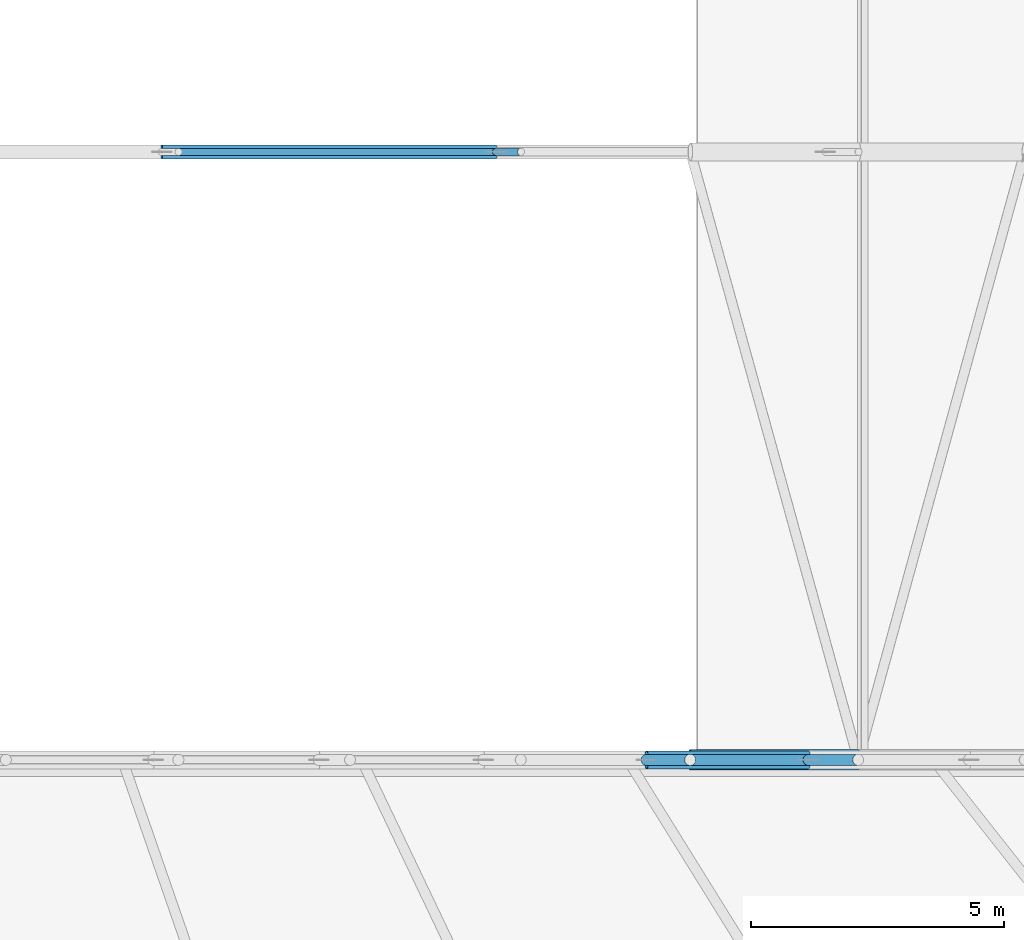
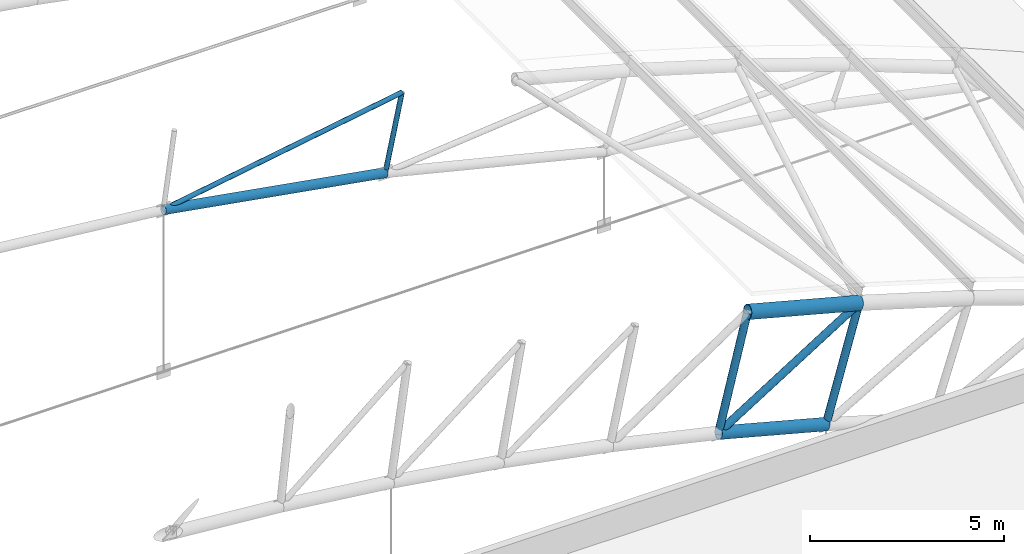
# One storey, part 42 of 321: 8 members.
"""IFC4 building model written with IfcOpenShell, lengths in metres."""

import ifcopenshell
import ifcopenshell.guid

model = None  # the IFC model being written
_history = None  # IfcOwnerHistory: only IFC2X3 demands one
_inside = {}  # id of a spatial element -> (the spatial element, [elements in it])
_under = {}  # id of a project, library or spatial element -> (it, [spatial elements below it])
_declared = {}  # id of a project -> (the project, [libraries it declares])
_typed = {}  # id of a type object -> (the type object, [elements of that type])
_made_of = {}  # id of a material, layer set ... -> (it, [elements and type objects made of it])


def new_model(schema):
    """Start an empty IFC model of exactly this schema.

    Asked for "IFC4X3", IfcOpenShell would pick the latest addendum, in which some entities
    have other attributes; the version numbers below select the first issue.
    IFC2X3 requires an IfcOwnerHistory on every rooted entity: one is made here for all.
    """
    global model, _history
    if schema == "IFC4X3":
        model = ifcopenshell.file(schema_version=(4, 3, 0, 0))
    else:
        model = ifcopenshell.file(schema=schema)
    _inside.clear()
    _under.clear()
    _declared.clear()
    _typed.clear()
    _made_of.clear()
    _history = None
    if model.schema == "IFC2X3":
        org = make("IfcOrganization", Name="unknown")
        user = make(
            "IfcPersonAndOrganization",
            ThePerson=make("IfcPerson", FamilyName="unknown"),
            TheOrganization=org,
        )
        app = make(
            "IfcApplication",
            ApplicationDeveloper=org,
            Version="unknown",
            ApplicationFullName="unknown",
            ApplicationIdentifier="unknown",
        )
        _history = make(
            "IfcOwnerHistory",
            OwningUser=user,
            OwningApplication=app,
            ChangeAction="ADDED",
            CreationDate=0,
        )
    return model


def make(cls, **values):
    """One entity of the class cls with the attributes given. An attribute that is None is left unset."""
    return model.create_entity(
        cls, **{name: value for name, value in values.items() if value is not None}
    )


def rooted(cls, **values):
    """An entity with a GlobalId (a new one), such as an element, a storey or a relation."""
    return make(cls, GlobalId=ifcopenshell.guid.new(), OwnerHistory=_history, **values)


def si_unit(unit_type, name, prefix=None):
    """IfcSIUnit, for example si_unit("LENGTHUNIT", "METRE", prefix="MILLI")."""
    return make("IfcSIUnit", UnitType=unit_type, Prefix=prefix, Name=name)


def assignment(units):
    """IfcUnitAssignment: the units of a project."""
    return None if units is None else make("IfcUnitAssignment", Units=units)


def point(xyz):
    """IfcCartesianPoint."""
    return None if xyz is None else make("IfcCartesianPoint", Coordinates=xyz)


def direction(xyz):
    """IfcDirection."""
    return None if xyz is None else make("IfcDirection", DirectionRatios=xyz)


def frame(location, z_axis=None, x_axis=None):
    """IfcAxis2Placement3D, a coordinate frame: its origin and axes. An axis left out is left unset."""
    return make(
        "IfcAxis2Placement3D",
        Location=point(location),
        Axis=direction(z_axis),
        RefDirection=direction(x_axis),
    )


def frame_2d(location, x_axis=None):
    """IfcAxis2Placement2D, a coordinate frame in the plane: its origin and x axis."""
    return make(
        "IfcAxis2Placement2D", Location=point(location), RefDirection=direction(x_axis)
    )


def origin():
    """The frame at (0, 0, 0) with its axes left unset."""
    return frame((0.0, 0.0, 0.0))


def origin_2d():
    """The frame at (0, 0) in the plane with its x axis left unset."""
    return frame_2d((0.0, 0.0))


def place(relative_to, where):
    """IfcLocalPlacement: puts the frame where relative to a parent placement (None: the world)."""
    return make(
        "IfcLocalPlacement", PlacementRelTo=relative_to, RelativePlacement=where
    )


def context(
    kind, dimensions, precision=None, world=None, true_north=None, identifier=None
):
    """IfcGeometricRepresentationContext, for example the 3D "Model" context."""
    return make(
        "IfcGeometricRepresentationContext",
        ContextIdentifier=identifier,
        ContextType=kind,
        CoordinateSpaceDimension=dimensions,
        Precision=precision,
        WorldCoordinateSystem=world,
        TrueNorth=true_north,
    )


def subcontext(parent, identifier, kind, view, scale=None):
    """IfcGeometricRepresentationSubContext, for example "Body" below "Model"."""
    return make(
        "IfcGeometricRepresentationSubContext",
        ContextIdentifier=identifier,
        ContextType=kind,
        ParentContext=parent,
        TargetScale=scale,
        TargetView=view,
    )


def project(units=None, contexts=None):
    """IfcProject with its units and contexts."""
    return rooted(
        "IfcProject",
        Name="project",
        RepresentationContexts=contexts,
        UnitsInContext=assignment(units),
    )


def spatial(cls, under=None, at=None, **own):
    """A site, building, storey or space (cls), placed at a placement, below another one or the project."""
    s = rooted(cls, ObjectPlacement=at, **own)
    if under is not None:
        _under.setdefault(under.id(), (under, []))[1].append(s)
    return s


def profile(cls, at=None, kind="AREA", **sizes):
    """A parametric profile (cls). Its sizes go by their IFC names, for example OverallWidth=200.0."""
    return make(cls, ProfileType=kind, Position=at, **sizes)


def hollow_circle(**sizes):
    """IfcCircleHollowProfileDef."""
    return profile("IfcCircleHollowProfileDef", **sizes)


def extrude(swept, where, along, depth):
    """IfcExtrudedAreaSolid: the profile swept, set in the frame where, extruded along a direction by depth."""
    return make(
        "IfcExtrudedAreaSolid",
        SweptArea=swept,
        Position=where,
        ExtrudedDirection=direction(along),
        Depth=depth,
    )


def shape(context_of_items, identifier, shape_type, items):
    """IfcShapeRepresentation: the items that make up one representation, for example the "Body"."""
    return make(
        "IfcShapeRepresentation",
        ContextOfItems=context_of_items,
        RepresentationIdentifier=identifier,
        RepresentationType=shape_type,
        Items=items,
    )


def material(Name=None, Category=None):
    """IfcMaterial."""
    return make("IfcMaterial", Name=Name, Category=Category)


def material_profile(
    of_material, cross_section, Name=None, Category=None, Priority=None
):
    """IfcMaterialProfile: a cross section and its material."""
    return make(
        "IfcMaterialProfile",
        Name=Name,
        Material=of_material,
        Profile=cross_section,
        Priority=Priority,
        Category=Category,
    )


def profile_set(profiles, Name=None, composite=None):
    """IfcMaterialProfileSet."""
    return make(
        "IfcMaterialProfileSet",
        Name=Name,
        MaterialProfiles=profiles,
        CompositeProfile=composite,
    )


def made_of(thing, what):
    """Note that an element or type object is made of a material, layer set ...; save() writes the relation."""
    if what is not None:
        _made_of.setdefault(what.id(), (what, []))[1].append(thing)
    return thing


def type_object(cls, material=None, **own):
    """A type object (cls), such as IfcWallType, which elements share."""
    return made_of(rooted(cls, **own), material)


def element(
    cls,
    number,
    at=None,
    inside=None,
    cuts=None,
    type_object=None,
    material=None,
    context=None,
    identifier="Body",
    shape_type=None,
    held_by="IfcProductDefinitionShape",
    body=None,
    shapes=None,
    **own,
):
    """One element of the class cls, such as IfcWall. Its Tag is "e" and its number.

    at: its placement. inside: the storey or other place that contains it. cuts: it is an
    opening in that element (IfcRelVoidsElement). A single representation is given by context,
    identifier, shape_type and body (its items); several are given by shapes. held_by: the class
    of the entity that holds the representations. save() writes the other relations.
    """
    e = rooted(cls, Tag="e%d" % number, ObjectPlacement=at, **own)
    if body is not None:
        shapes = [shape(context, identifier, shape_type, body)]
    if shapes is not None:
        e.Representation = make(held_by, Representations=shapes)
    if inside is not None:
        _inside.setdefault(inside.id(), (inside, []))[1].append(e)
    if cuts is not None:
        rooted(
            "IfcRelVoidsElement", RelatingBuildingElement=cuts, RelatedOpeningElement=e
        )
    if type_object is not None:
        _typed.setdefault(type_object.id(), (type_object, []))[1].append(e)
    return made_of(e, material)


def aggregate(whole, parts):
    """IfcRelAggregates: a whole, such as a stair, and the parts it consists of."""
    return rooted("IfcRelAggregates", RelatingObject=whole, RelatedObjects=parts)


def save(model, path):
    """Write the relations noted so far, then the file.

    IfcRelAggregates (storeys below a building ...), IfcRelContainedInSpatialStructure (elements
    in a storey), IfcRelDefinesByType, IfcRelAssociatesMaterial and IfcRelDeclares: one each for
    every whole, place, type object, material and project.
    """
    for whole, parts in _under.values():
        aggregate(whole, parts)
    for where, things in _inside.values():
        rooted(
            "IfcRelContainedInSpatialStructure",
            RelatedElements=things,
            RelatingStructure=where,
        )
    for kind, things in _typed.values():
        rooted("IfcRelDefinesByType", RelatedObjects=things, RelatingType=kind)
    for what, things in _made_of.values():
        rooted("IfcRelAssociatesMaterial", RelatedObjects=things, RelatingMaterial=what)
    for by, libraries in _declared.values():
        rooted("IfcRelDeclares", RelatingContext=by, RelatedDefinitions=libraries)
    model.write(path)


model = new_model("IFC4")

# Units and contexts
model_context = context("Model", 3, precision=1e-05, world=origin(), true_north=direction((0.0, 1.0)))
body_context = subcontext(model_context, "Body", "Model", "MODEL_VIEW")
ifc_project = project(units=[si_unit("LENGTHUNIT", "METRE"), si_unit("AREAUNIT", "SQUARE_METRE"), si_unit("VOLUMEUNIT", "CUBIC_METRE"), si_unit("PLANEANGLEUNIT", "RADIAN"), si_unit("MASSUNIT", "GRAM", prefix="KILO")], contexts=[model_context])

# Site, building, storey
site_placement = place(None, origin())
site = spatial("IfcSite", under=ifc_project, at=site_placement, CompositionType="ELEMENT")
building_placement = place(site_placement, origin())
building = spatial("IfcBuilding", under=site, at=building_placement, Name="Ravi Spectrum Wholesale Market", CompositionType="ELEMENT")
storey_placement = place(building_placement, frame((0.0, 0.0, 10.800048828125)))
storey = spatial("IfcBuildingStorey", under=building, at=storey_placement, Name="L02", CompositionType="ELEMENT", Elevation=10.800048828125)

# Members
ifc_material_1 = material(Name="Steel S355", Category="steel")
ifc_material_profile_1 = material_profile(ifc_material_1, hollow_circle(Radius=0.06982421875, WallThickness=0.0048828125, at=origin_2d()))
ifc_profile_set_1 = profile_set([ifc_material_profile_1], Name="Steel S355")
member_type_1 = type_object("IfcMemberType", Name="CHS 139.7x5 brace", PredefinedType="BRACE", material=ifc_profile_set_1)
member_1_placement = place(storey_placement, frame((90.44140625, 42.0, 6.30224609375), z_axis=(-0.985982518253, 0.0, -0.166848655074), x_axis=(0.0, -1.0, 0.0)))
element("IfcMember", 1, at=member_1_placement, inside=storey, type_object=member_type_1, Name="H1-MB-L02-154", PredefinedType="BRACE", context=body_context, shape_type="SweptSolid", body=[
    extrude(hollow_circle(Radius=0.06982421875, WallThickness=0.0048828125, at=origin_2d()), origin(), (0.0, 0.0, 1.0), 7.1904296875),
])
ifc_material_2 = material(Name="Steel S355", Category="steel")
ifc_material_profile_2 = material_profile(ifc_material_2, hollow_circle(Radius=0.06982421875, WallThickness=0.0048828125, at=origin_2d()))
ifc_profile_set_2 = profile_set([ifc_material_profile_2], Name="Steel S355")
member_type_2 = type_object("IfcMemberType", Name="CHS 139.7x5 post", PredefinedType="POST", material=ifc_profile_set_2)
member_2_placement = place(storey_placement, frame((90.44140625, 42.0, 6.30224609375), z_axis=(-0.20547728987, 0.0, -0.978661884078), x_axis=(0.0, -1.0, 0.0)))
element("IfcMember", 2, at=member_2_placement, inside=storey, type_object=member_type_2, Name="H1-MB-L02-144", PredefinedType="POST", context=body_context, shape_type="SweptSolid", body=[
    extrude(hollow_circle(Radius=0.06982421875, WallThickness=0.0048828125, at=origin_2d()), origin(), (0.0, 0.0, 1.0), 2.400146484375),
])
ifc_material_3 = material(Name="Steel S355", Category="steel")
ifc_material_profile_3 = material_profile(ifc_material_3, hollow_circle(Radius=0.109619140625, WallThickness=0.008056640625, at=origin_2d()))
ifc_profile_set_3 = profile_set([ifc_material_profile_3], Name="Steel S355")
member_type_3 = type_object("IfcMemberType", Name="CHS 219.1x8 brace", PredefinedType="BRACE", material=ifc_profile_set_3)
member_3_placement = place(storey_placement, frame((97.096923828125, 30.0, 4.63671875), z_axis=(-0.847368909482, 0.0, -0.531004643335), x_axis=(0.0, -1.0, 0.0)))
element("IfcMember", 3, at=member_3_placement, inside=storey, type_object=member_type_3, Name="H1-MB-L02-090", PredefinedType="BRACE", context=body_context, shape_type="SweptSolid", body=[
    extrude(hollow_circle(Radius=0.109619140625, WallThickness=0.008056640625, at=origin_2d()), origin(), (0.0, 0.0, 1.0), 4.9296875),
])
ifc_material_4 = material(Name="Steel S355", Category="steel")
ifc_material_profile_4 = material_profile(ifc_material_4, hollow_circle(Radius=0.109619140625, WallThickness=0.008056640625, at=origin_2d()))
ifc_profile_set_4 = profile_set([ifc_material_profile_4], Name="Steel S355")
member_type_4 = type_object("IfcMemberType", Name="CHS 219.1x8 post", PredefinedType="POST", material=ifc_profile_set_4)
for number, where, z_axis, x_axis, name in (
    (4, (93.78076171875, 30.0, 5.514404296875), (-0.239199072456, 0.0, -0.970970547306), (0.0, -1.0, 0.0), "H1-MB-L02-067"),
    (5, (97.096923828125, 30.0, 4.63671875), (-0.272561766134, 0.0, -0.962138287172), (0.0, -1.0, 0.0), "H1-MB-L02-068"),
):
    element("IfcMember", number, at=place(storey_placement, frame(where, z_axis=z_axis, x_axis=x_axis)), inside=storey, type_object=member_type_4, Name=name, PredefinedType="POST", context=body_context, shape_type="SweptSolid", body=[
        extrude(hollow_circle(Radius=0.109619140625, WallThickness=0.008056640625, at=origin_2d()), origin(), (0.0, 0.0, 1.0), 3.599853515625),
    ])
ifc_material_5 = material(Name="Steel S355", Category="steel")
ifc_material_profile_5 = material_profile(ifc_material_5, hollow_circle(Radius=0.136474609375, WallThickness=0.010009765625, at=origin_2d()))
ifc_profile_set_5 = profile_set([ifc_material_profile_5], Name="Steel S355")
member_type_5 = type_object("IfcMemberType", Name="CHS 273x10 chord", PredefinedType="CHORD", material=ifc_profile_set_5)
member_4_placement = place(storey_placement, frame((83.351806640625, 42.0, 5.1025390625), z_axis=(0.985162205886, 0.0, -0.171625837489), x_axis=(0.0, 1.0, 0.0)))
element("IfcMember", 6, at=member_4_placement, inside=storey, type_object=member_type_5, Name="H1-MB-L02-132", PredefinedType="CHORD", context=body_context, shape_type="SweptSolid", body=[
    extrude(hollow_circle(Radius=0.136474609375, WallThickness=0.010009765625, at=origin_2d()), origin(), (0.0, 0.0, 1.0), 6.69580078125),
])
ifc_material_6 = material(Name="Steel S355", Category="steel")
ifc_material_profile_6 = material_profile(ifc_material_6, hollow_circle(Radius=0.177734375, WallThickness=0.012451171875, at=origin_2d()))
ifc_profile_set_6 = profile_set([ifc_material_profile_6], Name="Steel S355")
member_type_6 = type_object("IfcMemberType", Name="CHS 355.6x12.5 chord", PredefinedType="CHORD", material=ifc_profile_set_6)
member_5_placement = place(storey_placement, frame((92.919677734375, 30.0, 2.01904296875), z_axis=(0.966710063159, 0.0, -0.255874292938), x_axis=(0.0, 1.0, 0.0)))
element("IfcMember", 7, at=member_5_placement, inside=storey, type_object=member_type_6, Name="H1-MB-L02-044", PredefinedType="CHORD", context=body_context, shape_type="SweptSolid", body=[
    extrude(hollow_circle(Radius=0.177734375, WallThickness=0.012451171875, at=origin_2d()), origin(), (0.0, 0.0, 1.0), 3.30615234375),
])
ifc_material_7 = material(Name="Steel S355", Category="steel")
ifc_material_profile_7 = material_profile(ifc_material_7, hollow_circle(Radius=0.203125, WallThickness=0.01611328125, at=origin_2d()))
ifc_profile_set_7 = profile_set([ifc_material_profile_7], Name="Steel S355")
member_type_7 = type_object("IfcMemberType", Name="CHS 406.4x16 chord", PredefinedType="CHORD", material=ifc_profile_set_7)
member_6_placement = place(storey_placement, frame((93.78076171875, 30.0, 5.514404296875), z_axis=(0.966714030155, 0.0, -0.255859304896), x_axis=(0.0, 1.0, 0.0)))
element("IfcMember", 8, at=member_6_placement, inside=storey, type_object=member_type_7, Name="H1-MB-L02-020", PredefinedType="CHORD", context=body_context, shape_type="SweptSolid", body=[
    extrude(hollow_circle(Radius=0.203125, WallThickness=0.01611328125, at=origin_2d()), origin(), (0.0, 0.0, 1.0), 3.430419921875),
])

save(model, "model.ifc")
